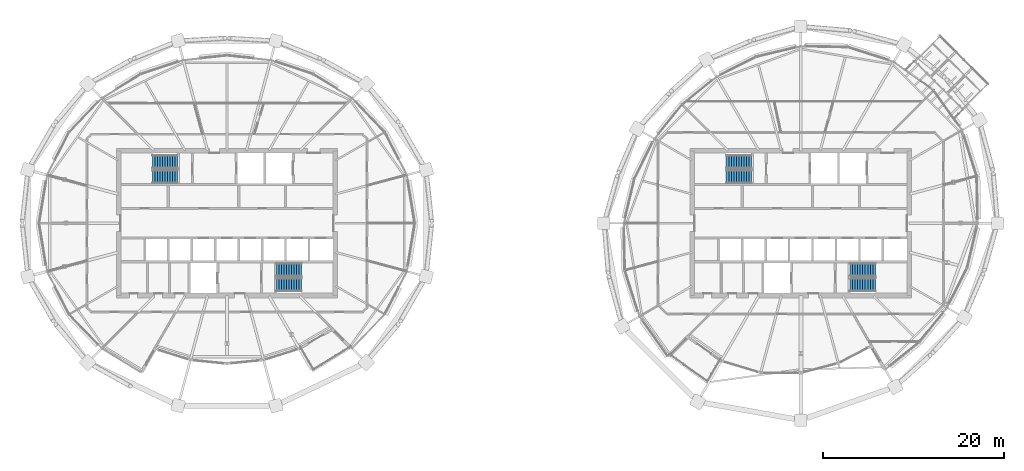
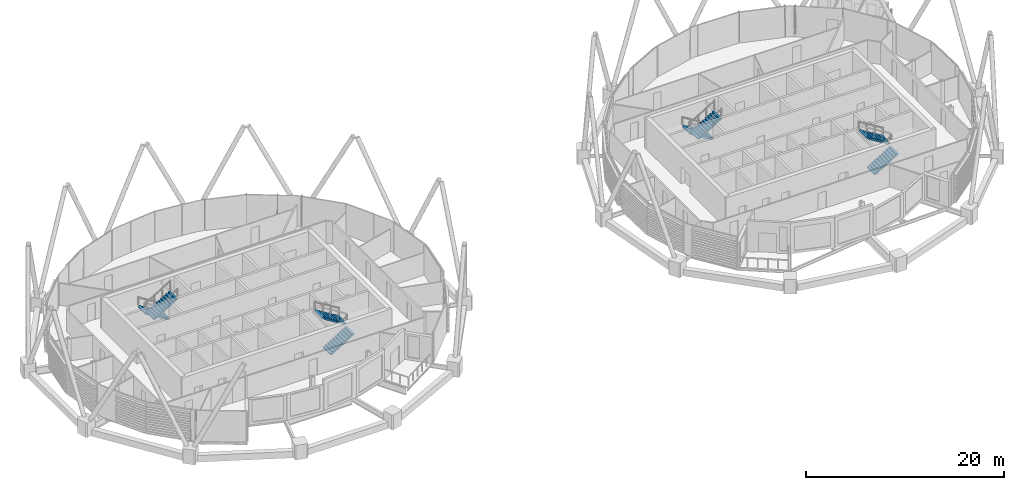
# One storey, part 27 of 34: 8 stair flights, 4 elements without a shape of their own.
"""IFC4 building model written with IfcOpenShell, lengths in metres."""

from ifc_helpers import new_model, si_unit, direction, frame, origin, place, context, subcontext, project, spatial, polyline, outline, extrude, material, type_object, element, aggregate, save


model = new_model("IFC4")

# Units and contexts
model_context = context("Model", 3, precision=1e-05, world=origin(), true_north=direction((0.0, 1.0)))
body_context = subcontext(model_context, "Body", "Model", "MODEL_VIEW")
ifc_project = project(units=[si_unit("LENGTHUNIT", "METRE"), si_unit("AREAUNIT", "SQUARE_METRE"), si_unit("VOLUMEUNIT", "CUBIC_METRE"), si_unit("PLANEANGLEUNIT", "RADIAN"), si_unit("MASSUNIT", "GRAM", prefix="KILO")], contexts=[model_context])

# Site, building, storey
site_placement = place(None, origin())
site = spatial("IfcSite", under=ifc_project, at=site_placement, CompositionType="ELEMENT")
building_placement = place(site_placement, origin())
building = spatial("IfcBuilding", under=site, at=building_placement, Name="Rimbun Link Towers", CompositionType="ELEMENT")
storey_placement = place(building_placement, frame((0.0, 0.0, 221.89990234375)))
storey = spatial("IfcBuildingStorey", under=building, at=storey_placement, Name="L54", CompositionType="ELEMENT", Elevation=221.89990234375)

# Stair, stair flights
ifc_material_1 = material(Name="Concrete C40/50", Category="concrete")
stair_type = type_object("IfcStairType", Name="Exit stair 3800 rise", PredefinedType="HALF_TURN_STAIR", material=ifc_material_1)
stair_1_placement = place(storey_placement, origin())
stair_1 = element("IfcStair", 1, at=stair_1_placement, inside=storey, type_object=stair_type, Name="L54 EXIT STAIR A", PredefinedType="HALF_TURN_STAIR")
ifc_material_2 = material(Name="Concrete C40/50", Category="concrete")
stair_flight_type = type_object("IfcStairFlightType", Name="Exit stair flight 3800 rise", PredefinedType="STRAIGHT", material=ifc_material_2)
stair_flight_1_placement = place(storey_placement, frame((-37.199951171875, 6.800048828125, 0.0), z_axis=(0.0, 0.0, 1.0), x_axis=(-1.0, 0.0, 0.0)))
stair_flight_1 = element("IfcStairFlight", 2, at=stair_flight_1_placement, type_object=stair_flight_type, Name="ST1 flight 1", NumberOfRisers=11, NumberOfTreads=10, PredefinedType="STRAIGHT", RiserHeight=0.172727273, TreadLength=0.28, context=body_context, shape_type="SweptSolid", body=[
    extrude(outline(polyline([(0.0, 0.0), (0.0, 0.172607421875), (0.280029296875, 0.172607421875), (0.280029296875, 0.345458984375), (0.56005859375, 0.345458984375), (0.56005859375, 0.51806640625), (0.840087890625, 0.51806640625), (0.840087890625, 0.69091796875), (1.1201171875, 0.69091796875), (1.1201171875, 0.863525390625), (1.39990234375, 0.863525390625), (1.39990234375, 1.036376953125), (1.679931640625, 1.036376953125), (1.679931640625, 1.208984375), (1.9599609375, 1.208984375), (1.9599609375, 1.3818359375), (2.239990234375, 1.3818359375), (2.239990234375, 1.554443359375), (2.52001953125, 1.554443359375), (2.52001953125, 1.727294921875), (2.800048828125, 1.727294921875), (2.800048828125, 1.89990234375), (2.800048828125, 1.551025390625), (0.280029296875, 0.0), (0.0, 0.0)])), frame((0.0, 0.75, 0.0), z_axis=(0.0, -1.0, 0.0), x_axis=(1.0, 0.0, 0.0)), (0.0, 0.0, 1.0), 1.5),
])
stair_flight_2_placement = place(storey_placement, frame((-40.0, 5.14990234375, 1.900146484375), z_axis=(0.0, 0.0, 1.0), x_axis=(1.0, 0.0, 0.0)))
stair_flight_2 = element("IfcStairFlight", 3, at=stair_flight_2_placement, type_object=stair_flight_type, Name="ST1 flight 2", NumberOfRisers=11, NumberOfTreads=10, PredefinedType="STRAIGHT", RiserHeight=0.172727273, TreadLength=0.28, context=body_context, shape_type="SweptSolid", body=[
    extrude(outline(polyline([(0.0, 0.0), (0.0, 0.172607421875), (0.280029296875, 0.172607421875), (0.280029296875, 0.345458984375), (0.56005859375, 0.345458984375), (0.56005859375, 0.51806640625), (0.840087890625, 0.51806640625), (0.840087890625, 0.69091796875), (1.1201171875, 0.69091796875), (1.1201171875, 0.863525390625), (1.39990234375, 0.863525390625), (1.39990234375, 1.036376953125), (1.679931640625, 1.036376953125), (1.679931640625, 1.208984375), (1.9599609375, 1.208984375), (1.9599609375, 1.3818359375), (2.239990234375, 1.3818359375), (2.239990234375, 1.554443359375), (2.52001953125, 1.554443359375), (2.52001953125, 1.727294921875), (2.800048828125, 1.727294921875), (2.800048828125, 1.89990234375), (2.800048828125, 1.551025390625), (0.280029296875, 0.0), (0.0, 0.0)])), frame((0.0, 0.75, 0.0), z_axis=(0.0, -1.0, 0.0), x_axis=(1.0, 0.0, 0.0)), (0.0, 0.0, 1.0), 1.5),
])
aggregate(stair_1, [stair_flight_1, stair_flight_2])

stair_2_placement = place(storey_placement, origin())
stair_2 = element("IfcStair", 4, at=stair_2_placement, inside=storey, type_object=stair_type, Name="L54 EXIT STAIR B", PredefinedType="HALF_TURN_STAIR")
stair_flight_3_placement = place(storey_placement, frame((-26.300048828125, -6.800048828125, 0.0), z_axis=(0.0, 0.0, 1.0), x_axis=(1.0, 0.0, 0.0)))
stair_flight_3 = element("IfcStairFlight", 5, at=stair_flight_3_placement, type_object=stair_flight_type, Name="ST2 flight 1", NumberOfRisers=11, NumberOfTreads=10, PredefinedType="STRAIGHT", RiserHeight=0.172727273, TreadLength=0.28, context=body_context, shape_type="SweptSolid", body=[
    extrude(outline(polyline([(0.0, 0.0), (0.0, 0.172607421875), (0.280029296875, 0.172607421875), (0.280029296875, 0.345458984375), (0.56005859375, 0.345458984375), (0.56005859375, 0.51806640625), (0.840087890625, 0.51806640625), (0.840087890625, 0.69091796875), (1.1201171875, 0.69091796875), (1.1201171875, 0.863525390625), (1.39990234375, 0.863525390625), (1.39990234375, 1.036376953125), (1.679931640625, 1.036376953125), (1.679931640625, 1.208984375), (1.9599609375, 1.208984375), (1.9599609375, 1.3818359375), (2.239990234375, 1.3818359375), (2.239990234375, 1.554443359375), (2.52001953125, 1.554443359375), (2.52001953125, 1.727294921875), (2.800048828125, 1.727294921875), (2.800048828125, 1.89990234375), (2.800048828125, 1.551025390625), (0.280029296875, 0.0), (0.0, 0.0)])), frame((0.0, 0.75, 0.0), z_axis=(0.0, -1.0, 0.0), x_axis=(1.0, 0.0, 0.0)), (0.0, 0.0, 1.0), 1.5),
])
stair_flight_4_placement = place(storey_placement, frame((-23.5, -5.14990234375, 1.900146484375), z_axis=(0.0, 0.0, 1.0), x_axis=(-1.0, 0.0, 0.0)))
stair_flight_4 = element("IfcStairFlight", 6, at=stair_flight_4_placement, type_object=stair_flight_type, Name="ST2 flight 2", NumberOfRisers=11, NumberOfTreads=10, PredefinedType="STRAIGHT", RiserHeight=0.172727273, TreadLength=0.28, context=body_context, shape_type="SweptSolid", body=[
    extrude(outline(polyline([(0.0, 0.0), (0.0, 0.172607421875), (0.280029296875, 0.172607421875), (0.280029296875, 0.345458984375), (0.56005859375, 0.345458984375), (0.56005859375, 0.51806640625), (0.840087890625, 0.51806640625), (0.840087890625, 0.69091796875), (1.1201171875, 0.69091796875), (1.1201171875, 0.863525390625), (1.39990234375, 0.863525390625), (1.39990234375, 1.036376953125), (1.679931640625, 1.036376953125), (1.679931640625, 1.208984375), (1.9599609375, 1.208984375), (1.9599609375, 1.3818359375), (2.239990234375, 1.3818359375), (2.239990234375, 1.554443359375), (2.52001953125, 1.554443359375), (2.52001953125, 1.727294921875), (2.800048828125, 1.727294921875), (2.800048828125, 1.89990234375), (2.800048828125, 1.551025390625), (0.280029296875, 0.0), (0.0, 0.0)])), frame((0.0, 0.75, 0.0), z_axis=(0.0, -1.0, 0.0), x_axis=(1.0, 0.0, 0.0)), (0.0, 0.0, 1.0), 1.5),
])
aggregate(stair_2, [stair_flight_3, stair_flight_4])

stair_3_placement = place(storey_placement, origin())
stair_3 = element("IfcStair", 7, at=stair_3_placement, inside=storey, type_object=stair_type, Name="L54 EXIT STAIR A", PredefinedType="HALF_TURN_STAIR")
stair_flight_5_placement = place(storey_placement, frame((26.300048828125, 6.800048828125, 0.0), z_axis=(0.0, 0.0, 1.0), x_axis=(-1.0, 0.0, 0.0)))
stair_flight_5 = element("IfcStairFlight", 8, at=stair_flight_5_placement, type_object=stair_flight_type, Name="ST3 flight 1", NumberOfRisers=11, NumberOfTreads=10, PredefinedType="STRAIGHT", RiserHeight=0.172727273, TreadLength=0.28, context=body_context, shape_type="SweptSolid", body=[
    extrude(outline(polyline([(0.0, 0.0), (0.0, 0.172607421875), (0.280029296875, 0.172607421875), (0.280029296875, 0.345458984375), (0.56005859375, 0.345458984375), (0.56005859375, 0.51806640625), (0.840087890625, 0.51806640625), (0.840087890625, 0.69091796875), (1.1201171875, 0.69091796875), (1.1201171875, 0.863525390625), (1.39990234375, 0.863525390625), (1.39990234375, 1.036376953125), (1.679931640625, 1.036376953125), (1.679931640625, 1.208984375), (1.9599609375, 1.208984375), (1.9599609375, 1.3818359375), (2.239990234375, 1.3818359375), (2.239990234375, 1.554443359375), (2.52001953125, 1.554443359375), (2.52001953125, 1.727294921875), (2.800048828125, 1.727294921875), (2.800048828125, 1.89990234375), (2.800048828125, 1.551025390625), (0.280029296875, 0.0), (0.0, 0.0)])), frame((0.0, 0.75, 0.0), z_axis=(0.0, -1.0, 0.0), x_axis=(1.0, 0.0, 0.0)), (0.0, 0.0, 1.0), 1.5),
])
stair_flight_6_placement = place(storey_placement, frame((23.5, 5.14990234375, 1.900146484375), z_axis=(0.0, 0.0, 1.0), x_axis=(1.0, 0.0, 0.0)))
stair_flight_6 = element("IfcStairFlight", 9, at=stair_flight_6_placement, type_object=stair_flight_type, Name="ST3 flight 2", NumberOfRisers=11, NumberOfTreads=10, PredefinedType="STRAIGHT", RiserHeight=0.172727273, TreadLength=0.28, context=body_context, shape_type="SweptSolid", body=[
    extrude(outline(polyline([(0.0, 0.0), (0.0, 0.172607421875), (0.280029296875, 0.172607421875), (0.280029296875, 0.345458984375), (0.56005859375, 0.345458984375), (0.56005859375, 0.51806640625), (0.840087890625, 0.51806640625), (0.840087890625, 0.69091796875), (1.1201171875, 0.69091796875), (1.1201171875, 0.863525390625), (1.39990234375, 0.863525390625), (1.39990234375, 1.036376953125), (1.679931640625, 1.036376953125), (1.679931640625, 1.208984375), (1.9599609375, 1.208984375), (1.9599609375, 1.3818359375), (2.239990234375, 1.3818359375), (2.239990234375, 1.554443359375), (2.52001953125, 1.554443359375), (2.52001953125, 1.727294921875), (2.800048828125, 1.727294921875), (2.800048828125, 1.89990234375), (2.800048828125, 1.551025390625), (0.280029296875, 0.0), (0.0, 0.0)])), frame((0.0, 0.75, 0.0), z_axis=(0.0, -1.0, 0.0), x_axis=(1.0, 0.0, 0.0)), (0.0, 0.0, 1.0), 1.5),
])
aggregate(stair_3, [stair_flight_5, stair_flight_6])

stair_4_placement = place(storey_placement, origin())
stair_4 = element("IfcStair", 10, at=stair_4_placement, inside=storey, type_object=stair_type, Name="L54 EXIT STAIR B", PredefinedType="HALF_TURN_STAIR")
stair_flight_7_placement = place(storey_placement, frame((37.199951171875, -6.800048828125, 0.0), z_axis=(0.0, 0.0, 1.0), x_axis=(1.0, 0.0, 0.0)))
stair_flight_7 = element("IfcStairFlight", 11, at=stair_flight_7_placement, type_object=stair_flight_type, Name="ST4 flight 1", NumberOfRisers=11, NumberOfTreads=10, PredefinedType="STRAIGHT", RiserHeight=0.172727273, TreadLength=0.28, context=body_context, shape_type="SweptSolid", body=[
    extrude(outline(polyline([(0.0, 0.0), (0.0, 0.172607421875), (0.280029296875, 0.172607421875), (0.280029296875, 0.345458984375), (0.56005859375, 0.345458984375), (0.56005859375, 0.51806640625), (0.840087890625, 0.51806640625), (0.840087890625, 0.69091796875), (1.1201171875, 0.69091796875), (1.1201171875, 0.863525390625), (1.39990234375, 0.863525390625), (1.39990234375, 1.036376953125), (1.679931640625, 1.036376953125), (1.679931640625, 1.208984375), (1.9599609375, 1.208984375), (1.9599609375, 1.3818359375), (2.239990234375, 1.3818359375), (2.239990234375, 1.554443359375), (2.52001953125, 1.554443359375), (2.52001953125, 1.727294921875), (2.800048828125, 1.727294921875), (2.800048828125, 1.89990234375), (2.800048828125, 1.551025390625), (0.280029296875, 0.0), (0.0, 0.0)])), frame((0.0, 0.75, 0.0), z_axis=(0.0, -1.0, 0.0), x_axis=(1.0, 0.0, 0.0)), (0.0, 0.0, 1.0), 1.5),
])
stair_flight_8_placement = place(storey_placement, frame((40.0, -5.14990234375, 1.900146484375), z_axis=(0.0, 0.0, 1.0), x_axis=(-1.0, 0.0, 0.0)))
stair_flight_8 = element("IfcStairFlight", 12, at=stair_flight_8_placement, type_object=stair_flight_type, Name="ST4 flight 2", NumberOfRisers=11, NumberOfTreads=10, PredefinedType="STRAIGHT", RiserHeight=0.172727273, TreadLength=0.28, context=body_context, shape_type="SweptSolid", body=[
    extrude(outline(polyline([(0.0, 0.0), (0.0, 0.172607421875), (0.280029296875, 0.172607421875), (0.280029296875, 0.345458984375), (0.56005859375, 0.345458984375), (0.56005859375, 0.51806640625), (0.840087890625, 0.51806640625), (0.840087890625, 0.69091796875), (1.1201171875, 0.69091796875), (1.1201171875, 0.863525390625), (1.39990234375, 0.863525390625), (1.39990234375, 1.036376953125), (1.679931640625, 1.036376953125), (1.679931640625, 1.208984375), (1.9599609375, 1.208984375), (1.9599609375, 1.3818359375), (2.239990234375, 1.3818359375), (2.239990234375, 1.554443359375), (2.52001953125, 1.554443359375), (2.52001953125, 1.727294921875), (2.800048828125, 1.727294921875), (2.800048828125, 1.89990234375), (2.800048828125, 1.551025390625), (0.280029296875, 0.0), (0.0, 0.0)])), frame((0.0, 0.75, 0.0), z_axis=(0.0, -1.0, 0.0), x_axis=(1.0, 0.0, 0.0)), (0.0, 0.0, 1.0), 1.5),
])
aggregate(stair_4, [stair_flight_7, stair_flight_8])

save(model, "model.ifc")
